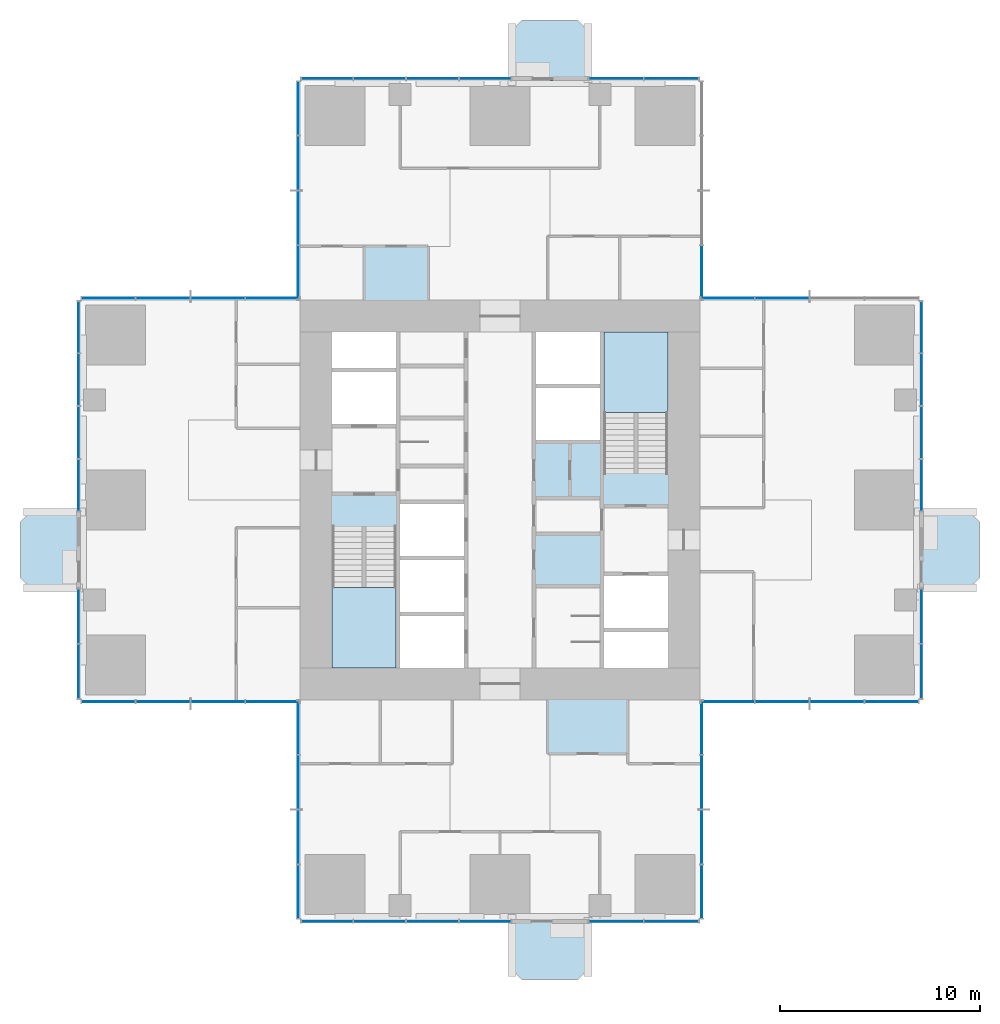
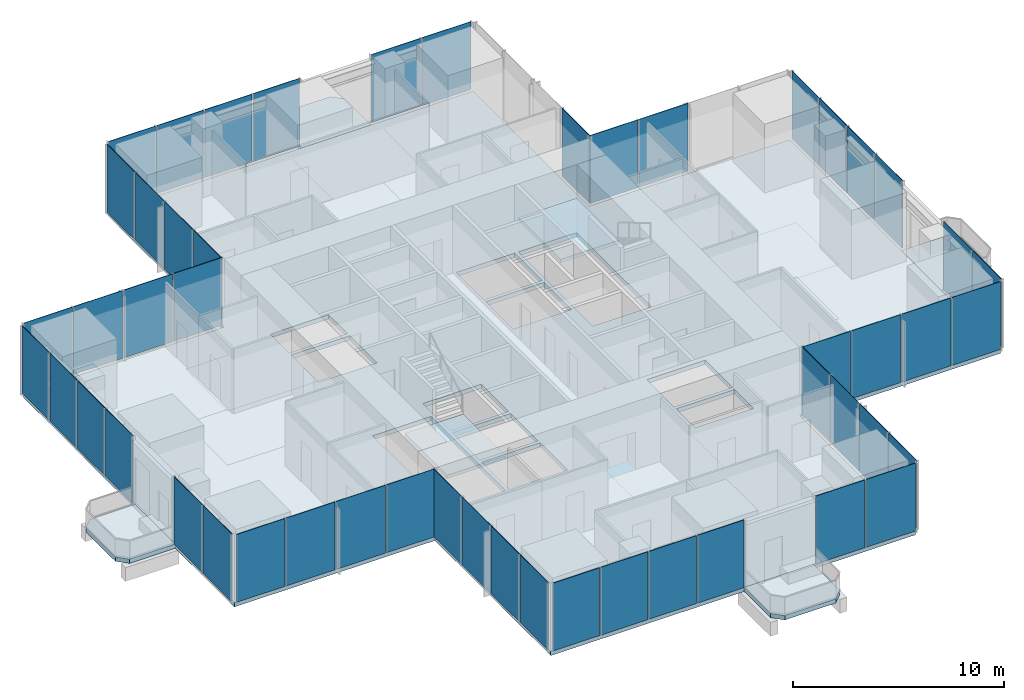
# One storey, part 7 of 13: 51 plates, 7 slabs, 18 elements without a shape of their own.
"""IFC4 building model written with IfcOpenShell, lengths in metres."""

from ifc_helpers import new_model, si_unit, direction, frame, origin, origin_2d, place, context, subcontext, project, spatial, polyline, rectangle, outline, extrude, material, layer, layer_set, type_object, element, aggregate, save


model = new_model("IFC4")

# Units and contexts
model_context = context("Model", 3, precision=1e-05, world=origin(), true_north=direction((0.0, 1.0)))
body_context = subcontext(model_context, "Body", "Model", "MODEL_VIEW")
ifc_project = project(units=[si_unit("LENGTHUNIT", "METRE"), si_unit("AREAUNIT", "SQUARE_METRE"), si_unit("VOLUMEUNIT", "CUBIC_METRE"), si_unit("PLANEANGLEUNIT", "RADIAN"), si_unit("MASSUNIT", "GRAM", prefix="KILO")], contexts=[model_context])

# Site, building, storey
site_placement = place(None, origin())
site = spatial("IfcSite", under=ifc_project, at=site_placement, CompositionType="ELEMENT")
building_placement = place(site_placement, origin())
building = spatial("IfcBuilding", under=site, at=building_placement, Name="Svetlomir Tower", CompositionType="ELEMENT")
storey_placement = place(building_placement, frame((0.0, 0.0, 128.5)))
storey = spatial("IfcBuildingStorey", under=building, at=storey_placement, Name="L30", CompositionType="ELEMENT", Elevation=128.5)

# Slabs
ifc_material_1 = material(Name="Concrete C60/75", Category="concrete")
ifc_layer_1 = layer(ifc_material_1, 0.25)
ifc_layer_set_1 = layer_set([ifc_layer_1], Name="Concrete C60/75")
slab_type_1 = type_object("IfcSlabType", Name="BALCONY SLAB 250", PredefinedType="FLOOR", material=ifc_layer_set_1)
slab_1_placement = place(storey_placement, frame((0.0, 0.0, -0.25)))
element("IfcSlab", 1, at=slab_1_placement, inside=storey, type_object=slab_type_1, Name="L30 S planted balcony", PredefinedType="FLOOR", context=body_context, shape_type="SweptSolid", body=[
    extrude(outline(polyline([(21.60009765625, -2.5), (22.10009765625, -3.0), (24.89990234375, -3.0), (25.39990234375, -2.5), (25.39990234375, 0.0), (21.60009765625, 0.0), (21.60009765625, -2.5)])), origin(), (0.0, 0.0, 1.0), 0.25),
])
slab_2_placement = place(storey_placement, frame((0.0, 0.0, -0.25)))
element("IfcSlab", 2, at=slab_2_placement, inside=storey, type_object=slab_type_1, Name="L30 E planted balcony", PredefinedType="FLOOR", context=body_context, shape_type="SweptSolid", body=[
    extrude(outline(polyline([(42.0, 16.60009765625), (44.5, 16.60009765625), (45.0, 17.10009765625), (45.0, 19.89990234375), (44.5, 20.39990234375), (42.0, 20.39990234375), (42.0, 16.60009765625)])), origin(), (0.0, 0.0, 1.0), 0.25),
])
slab_3_placement = place(storey_placement, frame((0.0, 0.0, -0.25)))
element("IfcSlab", 3, at=slab_3_placement, inside=storey, type_object=slab_type_1, Name="L30 N planted balcony", PredefinedType="FLOOR", context=body_context, shape_type="SweptSolid", body=[
    extrude(outline(polyline([(21.60009765625, 42.0), (25.39990234375, 42.0), (25.39990234375, 44.5), (24.89990234375, 45.0), (22.10009765625, 45.0), (21.60009765625, 44.5), (21.60009765625, 42.0)])), origin(), (0.0, 0.0, 1.0), 0.25),
])
slab_4_placement = place(storey_placement, frame((0.0, 0.0, -0.25)))
element("IfcSlab", 4, at=slab_4_placement, inside=storey, type_object=slab_type_1, Name="L30 W planted balcony", PredefinedType="FLOOR", context=body_context, shape_type="SweptSolid", body=[
    extrude(outline(polyline([(-2.5, 16.60009765625), (0.0, 16.60009765625), (0.0, 20.39990234375), (-2.5, 20.39990234375), (-3.0, 19.89990234375), (-3.0, 17.10009765625), (-2.5, 16.60009765625)])), origin(), (0.0, 0.0, 1.0), 0.25),
])

# Curtain wall, plates
ifc_material_2 = material(Name="Bronze anodised aluminium curtain wall", Category="aluminium")
curtain_wall_type = type_object("IfcCurtainWallType", Name="CURTAIN WALL CW1 TOWER OFFICE", PredefinedType="NOTDEFINED", material=ifc_material_2)
curtain_wall_1_placement = place(storey_placement, origin())
curtain_wall_1 = element("IfcCurtainWall", 5, at=curtain_wall_1_placement, inside=storey, type_object=curtain_wall_type, Name="Curtain wall CW1 L30", PredefinedType="NOTDEFINED")
ifc_material_3 = material(Name="Tinted double glazed unit", Category="glass")
ifc_layer_2 = layer(ifc_material_3, 0.031982421875)
ifc_layer_set_2 = layer_set([ifc_layer_2], Name="Tinted double glazed unit")
plate_type = type_object("IfcPlateType", Name="CW1 GLAZED PANEL 32", PredefinedType="CURTAIN_PANEL", material=ifc_layer_set_2)
plate_1_placement = place(storey_placement, frame((12.34130859375, -0.10009765625, 0.06494140625), z_axis=(0.0, 0.0, 1.0), x_axis=(1.0, 0.0, 0.0)))
plate_1 = element("IfcPlate", 6, at=plate_1_placement, type_object=plate_type, Name="CW1 panel 1.1", PredefinedType="CURTAIN_PANEL", context=body_context, shape_type="SweptSolid", body=[
    extrude(rectangle(XDim=2.552490234375, YDim=0.031982421875, at=origin_2d()), origin(), (0.0, 0.0, 1.0), 3.93505859375),
])
plate_2_placement = place(storey_placement, frame((14.97509765625, -0.10009765625, 0.06494140625), z_axis=(0.0, 0.0, 1.0), x_axis=(1.0, 0.0, 0.0)))
plate_2 = element("IfcPlate", 7, at=plate_2_placement, type_object=plate_type, Name="CW1 panel 2.1", PredefinedType="CURTAIN_PANEL", context=body_context, shape_type="SweptSolid", body=[
    extrude(rectangle(XDim=2.5849609375, YDim=0.031982421875, at=origin_2d()), origin(), (0.0, 0.0, 1.0), 3.93505859375),
])
plate_3_placement = place(storey_placement, frame((17.625, -0.10009765625, 0.06494140625), z_axis=(0.0, 0.0, 1.0), x_axis=(1.0, 0.0, 0.0)))
plate_3 = element("IfcPlate", 8, at=plate_3_placement, type_object=plate_type, Name="CW1 panel 3.1", PredefinedType="CURTAIN_PANEL", context=body_context, shape_type="SweptSolid", body=[
    extrude(rectangle(XDim=2.5849609375, YDim=0.031982421875, at=origin_2d()), origin(), (0.0, 0.0, 1.0), 3.93505859375),
])
plate_4_placement = place(storey_placement, frame((20.2587890625, -0.10009765625, 0.06494140625), z_axis=(0.0, 0.0, 1.0), x_axis=(1.0, 0.0, 0.0)))
plate_4 = element("IfcPlate", 9, at=plate_4_placement, type_object=plate_type, Name="CW1 panel 4.1", PredefinedType="CURTAIN_PANEL", context=body_context, shape_type="SweptSolid", body=[
    extrude(rectangle(XDim=2.552490234375, YDim=0.031982421875, at=origin_2d()), origin(), (0.0, 0.0, 1.0), 3.93505859375),
])
aggregate(curtain_wall_1, [plate_1, plate_2, plate_3, plate_4])

curtain_wall_2_placement = place(storey_placement, origin())
curtain_wall_2 = element("IfcCurtainWall", 10, at=curtain_wall_2_placement, inside=storey, type_object=curtain_wall_type, Name="Curtain wall CW1 L30", PredefinedType="NOTDEFINED")
plate_5_placement = place(storey_placement, frame((26.816162109375, -0.10009765625, 0.06494140625), z_axis=(0.0, 0.0, 1.0), x_axis=(1.0, 0.0, 0.0)))
plate_5 = element("IfcPlate", 11, at=plate_5_placement, type_object=plate_type, Name="CW1 panel 1.1", PredefinedType="CURTAIN_PANEL", context=body_context, shape_type="SweptSolid", body=[
    extrude(rectangle(XDim=2.702392578125, YDim=0.031982421875, at=origin_2d()), origin(), (0.0, 0.0, 1.0), 3.93505859375),
])
plate_6_placement = place(storey_placement, frame((29.583740234375, -0.10009765625, 0.06494140625), z_axis=(0.0, 0.0, 1.0), x_axis=(1.0, 0.0, 0.0)))
plate_6 = element("IfcPlate", 12, at=plate_6_placement, type_object=plate_type, Name="CW1 panel 2.1", PredefinedType="CURTAIN_PANEL", context=body_context, shape_type="SweptSolid", body=[
    extrude(rectangle(XDim=2.702392578125, YDim=0.031982421875, at=origin_2d()), origin(), (0.0, 0.0, 1.0), 3.93505859375),
])
aggregate(curtain_wall_2, [plate_5, plate_6])

curtain_wall_3_placement = place(storey_placement, origin())
curtain_wall_3 = element("IfcCurtainWall", 13, at=curtain_wall_3_placement, inside=storey, type_object=curtain_wall_type, Name="Curtain wall CW1 L30", PredefinedType="NOTDEFINED")
plate_7_placement = place(storey_placement, frame((31.10009765625, 1.391357421875, 0.06494140625), z_axis=(0.0, 0.0, 1.0), x_axis=(0.0, 1.0, 0.0)))
plate_7 = element("IfcPlate", 14, at=plate_7_placement, type_object=plate_type, Name="CW1 panel 1.1", PredefinedType="CURTAIN_PANEL", context=body_context, shape_type="SweptSolid", body=[
    extrude(rectangle(XDim=2.652587890625, YDim=0.031982421875, at=origin_2d()), origin(), (0.0, 0.0, 1.0), 3.93505859375),
])
plate_8_placement = place(storey_placement, frame((31.10009765625, 4.125, 0.06494140625), z_axis=(0.0, 0.0, 1.0), x_axis=(0.0, 1.0, 0.0)))
plate_8 = element("IfcPlate", 15, at=plate_8_placement, type_object=plate_type, Name="CW1 panel 2.1", PredefinedType="CURTAIN_PANEL", context=body_context, shape_type="SweptSolid", body=[
    extrude(rectangle(XDim=2.68505859375, YDim=0.031982421875, at=origin_2d()), origin(), (0.0, 0.0, 1.0), 3.93505859375),
])
plate_9_placement = place(storey_placement, frame((31.10009765625, 6.875, 0.06494140625), z_axis=(0.0, 0.0, 1.0), x_axis=(0.0, 1.0, 0.0)))
plate_9 = element("IfcPlate", 16, at=plate_9_placement, type_object=plate_type, Name="CW1 panel 3.1", PredefinedType="CURTAIN_PANEL", context=body_context, shape_type="SweptSolid", body=[
    extrude(rectangle(XDim=2.68505859375, YDim=0.031982421875, at=origin_2d()), origin(), (0.0, 0.0, 1.0), 3.93505859375),
])
plate_10_placement = place(storey_placement, frame((31.10009765625, 9.608642578125, 0.06494140625), z_axis=(0.0, 0.0, 1.0), x_axis=(0.0, 1.0, 0.0)))
plate_10 = element("IfcPlate", 17, at=plate_10_placement, type_object=plate_type, Name="CW1 panel 4.1", PredefinedType="CURTAIN_PANEL", context=body_context, shape_type="SweptSolid", body=[
    extrude(rectangle(XDim=2.652587890625, YDim=0.031982421875, at=origin_2d()), origin(), (0.0, 0.0, 1.0), 3.93505859375),
])
aggregate(curtain_wall_3, [plate_7, plate_8, plate_9, plate_10])

curtain_wall_4_placement = place(storey_placement, origin())
curtain_wall_4 = element("IfcCurtainWall", 18, at=curtain_wall_4_placement, inside=storey, type_object=curtain_wall_type, Name="Curtain wall CW1 L30", PredefinedType="NOTDEFINED")
plate_11_placement = place(storey_placement, frame((32.391357421875, 10.89990234375, 0.06494140625), z_axis=(0.0, 0.0, 1.0), x_axis=(1.0, 0.0, 0.0)))
plate_11 = element("IfcPlate", 19, at=plate_11_placement, type_object=plate_type, Name="CW1 panel 1.1", PredefinedType="CURTAIN_PANEL", context=body_context, shape_type="SweptSolid", body=[
    extrude(rectangle(XDim=2.652587890625, YDim=0.031982421875, at=origin_2d()), origin(), (0.0, 0.0, 1.0), 3.93505859375),
])
plate_12_placement = place(storey_placement, frame((35.125, 10.89990234375, 0.06494140625), z_axis=(0.0, 0.0, 1.0), x_axis=(1.0, 0.0, 0.0)))
plate_12 = element("IfcPlate", 20, at=plate_12_placement, type_object=plate_type, Name="CW1 panel 2.1", PredefinedType="CURTAIN_PANEL", context=body_context, shape_type="SweptSolid", body=[
    extrude(rectangle(XDim=2.68505859375, YDim=0.031982421875, at=origin_2d()), origin(), (0.0, 0.0, 1.0), 3.93505859375),
])
plate_13_placement = place(storey_placement, frame((37.875, 10.89990234375, 0.06494140625), z_axis=(0.0, 0.0, 1.0), x_axis=(1.0, 0.0, 0.0)))
plate_13 = element("IfcPlate", 21, at=plate_13_placement, type_object=plate_type, Name="CW1 panel 3.1", PredefinedType="CURTAIN_PANEL", context=body_context, shape_type="SweptSolid", body=[
    extrude(rectangle(XDim=2.68505859375, YDim=0.031982421875, at=origin_2d()), origin(), (0.0, 0.0, 1.0), 3.93505859375),
])
plate_14_placement = place(storey_placement, frame((40.608642578125, 10.89990234375, 0.06494140625), z_axis=(0.0, 0.0, 1.0), x_axis=(1.0, 0.0, 0.0)))
plate_14 = element("IfcPlate", 22, at=plate_14_placement, type_object=plate_type, Name="CW1 panel 4.1", PredefinedType="CURTAIN_PANEL", context=body_context, shape_type="SweptSolid", body=[
    extrude(rectangle(XDim=2.652587890625, YDim=0.031982421875, at=origin_2d()), origin(), (0.0, 0.0, 1.0), 3.93505859375),
])
aggregate(curtain_wall_4, [plate_11, plate_12, plate_13, plate_14])

curtain_wall_5_placement = place(storey_placement, origin())
curtain_wall_5 = element("IfcCurtainWall", 23, at=curtain_wall_5_placement, inside=storey, type_object=curtain_wall_type, Name="Curtain wall CW1 L30", PredefinedType="NOTDEFINED")
plate_15_placement = place(storey_placement, frame((42.10009765625, 12.416259765625, 0.06494140625), z_axis=(0.0, 0.0, 1.0), x_axis=(0.0, 1.0, 0.0)))
plate_15 = element("IfcPlate", 24, at=plate_15_placement, type_object=plate_type, Name="CW1 panel 1.1", PredefinedType="CURTAIN_PANEL", context=body_context, shape_type="SweptSolid", body=[
    extrude(rectangle(XDim=2.702392578125, YDim=0.031982421875, at=origin_2d()), origin(), (0.0, 0.0, 1.0), 3.93505859375),
])
plate_16_placement = place(storey_placement, frame((42.10009765625, 15.183837890625, 0.06494140625), z_axis=(0.0, 0.0, 1.0), x_axis=(0.0, 1.0, 0.0)))
plate_16 = element("IfcPlate", 25, at=plate_16_placement, type_object=plate_type, Name="CW1 panel 2.1", PredefinedType="CURTAIN_PANEL", context=body_context, shape_type="SweptSolid", body=[
    extrude(rectangle(XDim=2.702392578125, YDim=0.031982421875, at=origin_2d()), origin(), (0.0, 0.0, 1.0), 3.93505859375),
])
aggregate(curtain_wall_5, [plate_15, plate_16])

curtain_wall_6_placement = place(storey_placement, origin())
curtain_wall_6 = element("IfcCurtainWall", 26, at=curtain_wall_6_placement, inside=storey, type_object=curtain_wall_type, Name="Curtain wall CW1 L30", PredefinedType="NOTDEFINED")
plate_17_placement = place(storey_placement, frame((42.10009765625, 21.7412109375, 0.06494140625), z_axis=(0.0, 0.0, 1.0), x_axis=(0.0, 1.0, 0.0)))
plate_17 = element("IfcPlate", 27, at=plate_17_placement, type_object=plate_type, Name="CW1 panel 1.1", PredefinedType="CURTAIN_PANEL", context=body_context, shape_type="SweptSolid", body=[
    extrude(rectangle(XDim=2.552490234375, YDim=0.031982421875, at=origin_2d()), origin(), (0.0, 0.0, 1.0), 3.93505859375),
])
plate_18_placement = place(storey_placement, frame((42.10009765625, 24.375, 0.06494140625), z_axis=(0.0, 0.0, 1.0), x_axis=(0.0, 1.0, 0.0)))
plate_18 = element("IfcPlate", 28, at=plate_18_placement, type_object=plate_type, Name="CW1 panel 2.1", PredefinedType="CURTAIN_PANEL", context=body_context, shape_type="SweptSolid", body=[
    extrude(rectangle(XDim=2.5849609375, YDim=0.031982421875, at=origin_2d()), origin(), (0.0, 0.0, 1.0), 3.93505859375),
])
plate_19_placement = place(storey_placement, frame((42.10009765625, 27.02490234375, 0.06494140625), z_axis=(0.0, 0.0, 1.0), x_axis=(0.0, 1.0, 0.0)))
plate_19 = element("IfcPlate", 29, at=plate_19_placement, type_object=plate_type, Name="CW1 panel 3.1", PredefinedType="CURTAIN_PANEL", context=body_context, shape_type="SweptSolid", body=[
    extrude(rectangle(XDim=2.5849609375, YDim=0.031982421875, at=origin_2d()), origin(), (0.0, 0.0, 1.0), 3.93505859375),
])
plate_20_placement = place(storey_placement, frame((42.10009765625, 29.65869140625, 0.06494140625), z_axis=(0.0, 0.0, 1.0), x_axis=(0.0, 1.0, 0.0)))
plate_20 = element("IfcPlate", 30, at=plate_20_placement, type_object=plate_type, Name="CW1 panel 4.1", PredefinedType="CURTAIN_PANEL", context=body_context, shape_type="SweptSolid", body=[
    extrude(rectangle(XDim=2.552490234375, YDim=0.031982421875, at=origin_2d()), origin(), (0.0, 0.0, 1.0), 3.93505859375),
])
aggregate(curtain_wall_6, [plate_17, plate_18, plate_19, plate_20])

curtain_wall_7_placement = place(storey_placement, origin())
curtain_wall_7 = element("IfcCurtainWall", 31, at=curtain_wall_7_placement, inside=storey, type_object=curtain_wall_type, Name="Curtain wall CW1 L30", PredefinedType="NOTDEFINED")
plate_21_placement = place(storey_placement, frame((35.125, 31.10009765625, 0.06494140625), z_axis=(0.0, 0.0, 1.0), x_axis=(-1.0, 0.0, 0.0)))
plate_21 = element("IfcPlate", 32, at=plate_21_placement, type_object=plate_type, Name="CW1 panel 3.1", PredefinedType="CURTAIN_PANEL", context=body_context, shape_type="SweptSolid", body=[
    extrude(rectangle(XDim=2.68505859375, YDim=0.031982421875, at=origin_2d()), origin(), (0.0, 0.0, 1.0), 3.93505859375),
])
plate_22_placement = place(storey_placement, frame((32.391357421875, 31.10009765625, 0.06494140625), z_axis=(0.0, 0.0, 1.0), x_axis=(-1.0, 0.0, 0.0)))
plate_22 = element("IfcPlate", 33, at=plate_22_placement, type_object=plate_type, Name="CW1 panel 4.1", PredefinedType="CURTAIN_PANEL", context=body_context, shape_type="SweptSolid", body=[
    extrude(rectangle(XDim=2.652587890625, YDim=0.031982421875, at=origin_2d()), origin(), (0.0, 0.0, 1.0), 3.93505859375),
])
aggregate(curtain_wall_7, [plate_21, plate_22])

# Curtain wall, plate
curtain_wall_8_placement = place(storey_placement, origin())
curtain_wall_8 = element("IfcCurtainWall", 34, at=curtain_wall_8_placement, inside=storey, type_object=curtain_wall_type, Name="Curtain wall CW1 L30", PredefinedType="NOTDEFINED")
plate_23_placement = place(storey_placement, frame((31.10009765625, 32.391357421875, 0.06494140625), z_axis=(0.0, 0.0, 1.0), x_axis=(0.0, 1.0, 0.0)))
plate_23 = element("IfcPlate", 35, at=plate_23_placement, type_object=plate_type, Name="CW1 panel 1.1", PredefinedType="CURTAIN_PANEL", context=body_context, shape_type="SweptSolid", body=[
    extrude(rectangle(XDim=2.652587890625, YDim=0.031982421875, at=origin_2d()), origin(), (0.0, 0.0, 1.0), 3.93505859375),
])
aggregate(curtain_wall_8, [plate_23])

# Curtain wall, plates
curtain_wall_9_placement = place(storey_placement, origin())
curtain_wall_9 = element("IfcCurtainWall", 36, at=curtain_wall_9_placement, inside=storey, type_object=curtain_wall_type, Name="Curtain wall CW1 L30", PredefinedType="NOTDEFINED")
plate_24_placement = place(storey_placement, frame((29.583740234375, 42.10009765625, 0.06494140625), z_axis=(0.0, 0.0, 1.0), x_axis=(-1.0, 0.0, 0.0)))
plate_24 = element("IfcPlate", 37, at=plate_24_placement, type_object=plate_type, Name="CW1 panel 1.1", PredefinedType="CURTAIN_PANEL", context=body_context, shape_type="SweptSolid", body=[
    extrude(rectangle(XDim=2.702392578125, YDim=0.031982421875, at=origin_2d()), origin(), (0.0, 0.0, 1.0), 3.93505859375),
])
plate_25_placement = place(storey_placement, frame((26.816162109375, 42.10009765625, 0.06494140625), z_axis=(0.0, 0.0, 1.0), x_axis=(-1.0, 0.0, 0.0)))
plate_25 = element("IfcPlate", 38, at=plate_25_placement, type_object=plate_type, Name="CW1 panel 2.1", PredefinedType="CURTAIN_PANEL", context=body_context, shape_type="SweptSolid", body=[
    extrude(rectangle(XDim=2.702392578125, YDim=0.031982421875, at=origin_2d()), origin(), (0.0, 0.0, 1.0), 3.93505859375),
])
aggregate(curtain_wall_9, [plate_24, plate_25])

curtain_wall_10_placement = place(storey_placement, origin())
curtain_wall_10 = element("IfcCurtainWall", 39, at=curtain_wall_10_placement, inside=storey, type_object=curtain_wall_type, Name="Curtain wall CW1 L30", PredefinedType="NOTDEFINED")
plate_26_placement = place(storey_placement, frame((20.2587890625, 42.10009765625, 0.06494140625), z_axis=(0.0, 0.0, 1.0), x_axis=(-1.0, 0.0, 0.0)))
plate_26 = element("IfcPlate", 40, at=plate_26_placement, type_object=plate_type, Name="CW1 panel 1.1", PredefinedType="CURTAIN_PANEL", context=body_context, shape_type="SweptSolid", body=[
    extrude(rectangle(XDim=2.552490234375, YDim=0.031982421875, at=origin_2d()), origin(), (0.0, 0.0, 1.0), 3.93505859375),
])
plate_27_placement = place(storey_placement, frame((17.625, 42.10009765625, 0.06494140625), z_axis=(0.0, 0.0, 1.0), x_axis=(-1.0, 0.0, 0.0)))
plate_27 = element("IfcPlate", 41, at=plate_27_placement, type_object=plate_type, Name="CW1 panel 2.1", PredefinedType="CURTAIN_PANEL", context=body_context, shape_type="SweptSolid", body=[
    extrude(rectangle(XDim=2.5849609375, YDim=0.031982421875, at=origin_2d()), origin(), (0.0, 0.0, 1.0), 3.93505859375),
])
plate_28_placement = place(storey_placement, frame((14.97509765625, 42.10009765625, 0.06494140625), z_axis=(0.0, 0.0, 1.0), x_axis=(-1.0, 0.0, 0.0)))
plate_28 = element("IfcPlate", 42, at=plate_28_placement, type_object=plate_type, Name="CW1 panel 3.1", PredefinedType="CURTAIN_PANEL", context=body_context, shape_type="SweptSolid", body=[
    extrude(rectangle(XDim=2.5849609375, YDim=0.031982421875, at=origin_2d()), origin(), (0.0, 0.0, 1.0), 3.93505859375),
])
plate_29_placement = place(storey_placement, frame((12.34130859375, 42.10009765625, 0.06494140625), z_axis=(0.0, 0.0, 1.0), x_axis=(-1.0, 0.0, 0.0)))
plate_29 = element("IfcPlate", 43, at=plate_29_placement, type_object=plate_type, Name="CW1 panel 4.1", PredefinedType="CURTAIN_PANEL", context=body_context, shape_type="SweptSolid", body=[
    extrude(rectangle(XDim=2.552490234375, YDim=0.031982421875, at=origin_2d()), origin(), (0.0, 0.0, 1.0), 3.93505859375),
])
aggregate(curtain_wall_10, [plate_26, plate_27, plate_28, plate_29])

curtain_wall_11_placement = place(storey_placement, origin())
curtain_wall_11 = element("IfcCurtainWall", 44, at=curtain_wall_11_placement, inside=storey, type_object=curtain_wall_type, Name="Curtain wall CW1 L30", PredefinedType="NOTDEFINED")
plate_30_placement = place(storey_placement, frame((10.89990234375, 40.608642578125, 0.06494140625), z_axis=(0.0, 0.0, 1.0), x_axis=(0.0, -1.0, 0.0)))
plate_30 = element("IfcPlate", 45, at=plate_30_placement, type_object=plate_type, Name="CW1 panel 1.1", PredefinedType="CURTAIN_PANEL", context=body_context, shape_type="SweptSolid", body=[
    extrude(rectangle(XDim=2.652587890625, YDim=0.031982421875, at=origin_2d()), origin(), (0.0, 0.0, 1.0), 3.93505859375),
])
plate_31_placement = place(storey_placement, frame((10.89990234375, 37.875, 0.06494140625), z_axis=(0.0, 0.0, 1.0), x_axis=(0.0, -1.0, 0.0)))
plate_31 = element("IfcPlate", 46, at=plate_31_placement, type_object=plate_type, Name="CW1 panel 2.1", PredefinedType="CURTAIN_PANEL", context=body_context, shape_type="SweptSolid", body=[
    extrude(rectangle(XDim=2.68505859375, YDim=0.031982421875, at=origin_2d()), origin(), (0.0, 0.0, 1.0), 3.93505859375),
])
plate_32_placement = place(storey_placement, frame((10.89990234375, 35.125, 0.06494140625), z_axis=(0.0, 0.0, 1.0), x_axis=(0.0, -1.0, 0.0)))
plate_32 = element("IfcPlate", 47, at=plate_32_placement, type_object=plate_type, Name="CW1 panel 3.1", PredefinedType="CURTAIN_PANEL", context=body_context, shape_type="SweptSolid", body=[
    extrude(rectangle(XDim=2.68505859375, YDim=0.031982421875, at=origin_2d()), origin(), (0.0, 0.0, 1.0), 3.93505859375),
])
plate_33_placement = place(storey_placement, frame((10.89990234375, 32.391357421875, 0.06494140625), z_axis=(0.0, 0.0, 1.0), x_axis=(0.0, -1.0, 0.0)))
plate_33 = element("IfcPlate", 48, at=plate_33_placement, type_object=plate_type, Name="CW1 panel 4.1", PredefinedType="CURTAIN_PANEL", context=body_context, shape_type="SweptSolid", body=[
    extrude(rectangle(XDim=2.652587890625, YDim=0.031982421875, at=origin_2d()), origin(), (0.0, 0.0, 1.0), 3.93505859375),
])
aggregate(curtain_wall_11, [plate_30, plate_31, plate_32, plate_33])

curtain_wall_12_placement = place(storey_placement, origin())
curtain_wall_12 = element("IfcCurtainWall", 49, at=curtain_wall_12_placement, inside=storey, type_object=curtain_wall_type, Name="Curtain wall CW1 L30", PredefinedType="NOTDEFINED")
plate_34_placement = place(storey_placement, frame((9.608642578125, 31.10009765625, 0.06494140625), z_axis=(0.0, 0.0, 1.0), x_axis=(-1.0, 0.0, 0.0)))
plate_34 = element("IfcPlate", 50, at=plate_34_placement, type_object=plate_type, Name="CW1 panel 1.1", PredefinedType="CURTAIN_PANEL", context=body_context, shape_type="SweptSolid", body=[
    extrude(rectangle(XDim=2.652587890625, YDim=0.031982421875, at=origin_2d()), origin(), (0.0, 0.0, 1.0), 3.93505859375),
])
plate_35_placement = place(storey_placement, frame((6.875, 31.10009765625, 0.06494140625), z_axis=(0.0, 0.0, 1.0), x_axis=(-1.0, 0.0, 0.0)))
plate_35 = element("IfcPlate", 51, at=plate_35_placement, type_object=plate_type, Name="CW1 panel 2.1", PredefinedType="CURTAIN_PANEL", context=body_context, shape_type="SweptSolid", body=[
    extrude(rectangle(XDim=2.68505859375, YDim=0.031982421875, at=origin_2d()), origin(), (0.0, 0.0, 1.0), 3.93505859375),
])
plate_36_placement = place(storey_placement, frame((4.125, 31.10009765625, 0.06494140625), z_axis=(0.0, 0.0, 1.0), x_axis=(-1.0, 0.0, 0.0)))
plate_36 = element("IfcPlate", 52, at=plate_36_placement, type_object=plate_type, Name="CW1 panel 3.1", PredefinedType="CURTAIN_PANEL", context=body_context, shape_type="SweptSolid", body=[
    extrude(rectangle(XDim=2.68505859375, YDim=0.031982421875, at=origin_2d()), origin(), (0.0, 0.0, 1.0), 3.93505859375),
])
plate_37_placement = place(storey_placement, frame((1.391357421875, 31.10009765625, 0.06494140625), z_axis=(0.0, 0.0, 1.0), x_axis=(-1.0, 0.0, 0.0)))
plate_37 = element("IfcPlate", 53, at=plate_37_placement, type_object=plate_type, Name="CW1 panel 4.1", PredefinedType="CURTAIN_PANEL", context=body_context, shape_type="SweptSolid", body=[
    extrude(rectangle(XDim=2.652587890625, YDim=0.031982421875, at=origin_2d()), origin(), (0.0, 0.0, 1.0), 3.93505859375),
])
aggregate(curtain_wall_12, [plate_34, plate_35, plate_36, plate_37])

curtain_wall_13_placement = place(storey_placement, origin())
curtain_wall_13 = element("IfcCurtainWall", 54, at=curtain_wall_13_placement, inside=storey, type_object=curtain_wall_type, Name="Curtain wall CW1 L30", PredefinedType="NOTDEFINED")
plate_38_placement = place(storey_placement, frame((-0.10009765625, 29.65869140625, 0.06494140625), z_axis=(0.0, 0.0, 1.0), x_axis=(0.0, -1.0, 0.0)))
plate_38 = element("IfcPlate", 55, at=plate_38_placement, type_object=plate_type, Name="CW1 panel 1.1", PredefinedType="CURTAIN_PANEL", context=body_context, shape_type="SweptSolid", body=[
    extrude(rectangle(XDim=2.552490234375, YDim=0.031982421875, at=origin_2d()), origin(), (0.0, 0.0, 1.0), 3.93505859375),
])
plate_39_placement = place(storey_placement, frame((-0.10009765625, 27.02490234375, 0.06494140625), z_axis=(0.0, 0.0, 1.0), x_axis=(0.0, -1.0, 0.0)))
plate_39 = element("IfcPlate", 56, at=plate_39_placement, type_object=plate_type, Name="CW1 panel 2.1", PredefinedType="CURTAIN_PANEL", context=body_context, shape_type="SweptSolid", body=[
    extrude(rectangle(XDim=2.5849609375, YDim=0.031982421875, at=origin_2d()), origin(), (0.0, 0.0, 1.0), 3.93505859375),
])
plate_40_placement = place(storey_placement, frame((-0.10009765625, 24.375, 0.06494140625), z_axis=(0.0, 0.0, 1.0), x_axis=(0.0, -1.0, 0.0)))
plate_40 = element("IfcPlate", 57, at=plate_40_placement, type_object=plate_type, Name="CW1 panel 3.1", PredefinedType="CURTAIN_PANEL", context=body_context, shape_type="SweptSolid", body=[
    extrude(rectangle(XDim=2.5849609375, YDim=0.031982421875, at=origin_2d()), origin(), (0.0, 0.0, 1.0), 3.93505859375),
])
plate_41_placement = place(storey_placement, frame((-0.10009765625, 21.7412109375, 0.06494140625), z_axis=(0.0, 0.0, 1.0), x_axis=(0.0, -1.0, 0.0)))
plate_41 = element("IfcPlate", 58, at=plate_41_placement, type_object=plate_type, Name="CW1 panel 4.1", PredefinedType="CURTAIN_PANEL", context=body_context, shape_type="SweptSolid", body=[
    extrude(rectangle(XDim=2.552490234375, YDim=0.031982421875, at=origin_2d()), origin(), (0.0, 0.0, 1.0), 3.93505859375),
])
aggregate(curtain_wall_13, [plate_38, plate_39, plate_40, plate_41])

curtain_wall_14_placement = place(storey_placement, origin())
curtain_wall_14 = element("IfcCurtainWall", 59, at=curtain_wall_14_placement, inside=storey, type_object=curtain_wall_type, Name="Curtain wall CW1 L30", PredefinedType="NOTDEFINED")
plate_42_placement = place(storey_placement, frame((-0.10009765625, 15.183837890625, 0.06494140625), z_axis=(0.0, 0.0, 1.0), x_axis=(0.0, -1.0, 0.0)))
plate_42 = element("IfcPlate", 60, at=plate_42_placement, type_object=plate_type, Name="CW1 panel 1.1", PredefinedType="CURTAIN_PANEL", context=body_context, shape_type="SweptSolid", body=[
    extrude(rectangle(XDim=2.702392578125, YDim=0.031982421875, at=origin_2d()), origin(), (0.0, 0.0, 1.0), 3.93505859375),
])
plate_43_placement = place(storey_placement, frame((-0.10009765625, 12.416259765625, 0.06494140625), z_axis=(0.0, 0.0, 1.0), x_axis=(0.0, -1.0, 0.0)))
plate_43 = element("IfcPlate", 61, at=plate_43_placement, type_object=plate_type, Name="CW1 panel 2.1", PredefinedType="CURTAIN_PANEL", context=body_context, shape_type="SweptSolid", body=[
    extrude(rectangle(XDim=2.702392578125, YDim=0.031982421875, at=origin_2d()), origin(), (0.0, 0.0, 1.0), 3.93505859375),
])
aggregate(curtain_wall_14, [plate_42, plate_43])

curtain_wall_15_placement = place(storey_placement, origin())
curtain_wall_15 = element("IfcCurtainWall", 62, at=curtain_wall_15_placement, inside=storey, type_object=curtain_wall_type, Name="Curtain wall CW1 L30", PredefinedType="NOTDEFINED")
plate_44_placement = place(storey_placement, frame((1.391357421875, 10.89990234375, 0.06494140625), z_axis=(0.0, 0.0, 1.0), x_axis=(1.0, 0.0, 0.0)))
plate_44 = element("IfcPlate", 63, at=plate_44_placement, type_object=plate_type, Name="CW1 panel 1.1", PredefinedType="CURTAIN_PANEL", context=body_context, shape_type="SweptSolid", body=[
    extrude(rectangle(XDim=2.652587890625, YDim=0.031982421875, at=origin_2d()), origin(), (0.0, 0.0, 1.0), 3.93505859375),
])
plate_45_placement = place(storey_placement, frame((4.125, 10.89990234375, 0.06494140625), z_axis=(0.0, 0.0, 1.0), x_axis=(1.0, 0.0, 0.0)))
plate_45 = element("IfcPlate", 64, at=plate_45_placement, type_object=plate_type, Name="CW1 panel 2.1", PredefinedType="CURTAIN_PANEL", context=body_context, shape_type="SweptSolid", body=[
    extrude(rectangle(XDim=2.68505859375, YDim=0.031982421875, at=origin_2d()), origin(), (0.0, 0.0, 1.0), 3.93505859375),
])
plate_46_placement = place(storey_placement, frame((6.875, 10.89990234375, 0.06494140625), z_axis=(0.0, 0.0, 1.0), x_axis=(1.0, 0.0, 0.0)))
plate_46 = element("IfcPlate", 65, at=plate_46_placement, type_object=plate_type, Name="CW1 panel 3.1", PredefinedType="CURTAIN_PANEL", context=body_context, shape_type="SweptSolid", body=[
    extrude(rectangle(XDim=2.68505859375, YDim=0.031982421875, at=origin_2d()), origin(), (0.0, 0.0, 1.0), 3.93505859375),
])
plate_47_placement = place(storey_placement, frame((9.608642578125, 10.89990234375, 0.06494140625), z_axis=(0.0, 0.0, 1.0), x_axis=(1.0, 0.0, 0.0)))
plate_47 = element("IfcPlate", 66, at=plate_47_placement, type_object=plate_type, Name="CW1 panel 4.1", PredefinedType="CURTAIN_PANEL", context=body_context, shape_type="SweptSolid", body=[
    extrude(rectangle(XDim=2.652587890625, YDim=0.031982421875, at=origin_2d()), origin(), (0.0, 0.0, 1.0), 3.93505859375),
])
aggregate(curtain_wall_15, [plate_44, plate_45, plate_46, plate_47])

curtain_wall_16_placement = place(storey_placement, origin())
curtain_wall_16 = element("IfcCurtainWall", 67, at=curtain_wall_16_placement, inside=storey, type_object=curtain_wall_type, Name="Curtain wall CW1 L30", PredefinedType="NOTDEFINED")
plate_48_placement = place(storey_placement, frame((10.89990234375, 9.608642578125, 0.06494140625), z_axis=(0.0, 0.0, 1.0), x_axis=(0.0, -1.0, 0.0)))
plate_48 = element("IfcPlate", 68, at=plate_48_placement, type_object=plate_type, Name="CW1 panel 1.1", PredefinedType="CURTAIN_PANEL", context=body_context, shape_type="SweptSolid", body=[
    extrude(rectangle(XDim=2.652587890625, YDim=0.031982421875, at=origin_2d()), origin(), (0.0, 0.0, 1.0), 3.93505859375),
])
plate_49_placement = place(storey_placement, frame((10.89990234375, 6.875, 0.06494140625), z_axis=(0.0, 0.0, 1.0), x_axis=(0.0, -1.0, 0.0)))
plate_49 = element("IfcPlate", 69, at=plate_49_placement, type_object=plate_type, Name="CW1 panel 2.1", PredefinedType="CURTAIN_PANEL", context=body_context, shape_type="SweptSolid", body=[
    extrude(rectangle(XDim=2.68505859375, YDim=0.031982421875, at=origin_2d()), origin(), (0.0, 0.0, 1.0), 3.93505859375),
])
plate_50_placement = place(storey_placement, frame((10.89990234375, 4.125, 0.06494140625), z_axis=(0.0, 0.0, 1.0), x_axis=(0.0, -1.0, 0.0)))
plate_50 = element("IfcPlate", 70, at=plate_50_placement, type_object=plate_type, Name="CW1 panel 3.1", PredefinedType="CURTAIN_PANEL", context=body_context, shape_type="SweptSolid", body=[
    extrude(rectangle(XDim=2.68505859375, YDim=0.031982421875, at=origin_2d()), origin(), (0.0, 0.0, 1.0), 3.93505859375),
])
plate_51_placement = place(storey_placement, frame((10.89990234375, 1.391357421875, 0.06494140625), z_axis=(0.0, 0.0, 1.0), x_axis=(0.0, -1.0, 0.0)))
plate_51 = element("IfcPlate", 71, at=plate_51_placement, type_object=plate_type, Name="CW1 panel 4.1", PredefinedType="CURTAIN_PANEL", context=body_context, shape_type="SweptSolid", body=[
    extrude(rectangle(XDim=2.652587890625, YDim=0.031982421875, at=origin_2d()), origin(), (0.0, 0.0, 1.0), 3.93505859375),
])
aggregate(curtain_wall_16, [plate_48, plate_49, plate_50, plate_51])

# Slab
ifc_material_4 = material(Name="Concrete C60/75", Category="concrete")
ifc_layer_3 = layer(ifc_material_4, 0.25)
ifc_layer_set_3 = layer_set([ifc_layer_3], Name="Concrete C60/75")
slab_type_2 = type_object("IfcSlabType", Name="FLOOR SLAB 250", PredefinedType="FLOOR", material=ifc_layer_set_3)
slab_5_placement = place(storey_placement, frame((0.0, 0.0, -0.25)))
element("IfcSlab", 72, at=slab_5_placement, inside=storey, type_object=slab_type_2, Name="L30 floor slab", PredefinedType="FLOOR", context=body_context, shape_type="SweptSolid", body=[
    extrude(outline(polyline([(11.0, 0.0), (31.0, 0.0), (31.0, 11.0), (42.0, 11.0), (42.0, 31.0), (31.0, 31.0), (31.0, 42.0), (11.0, 42.0), (11.0, 31.0), (0.0, 31.0), (0.0, 11.0), (11.0, 11.0), (11.0, 0.0)]), holes=[polyline([(12.60009765625, 24.800048828125), (15.800048828125, 24.800048828125), (15.800048828125, 27.39990234375), (12.60009765625, 27.39990234375), (12.60009765625, 24.800048828125)]), polyline([(26.199951171875, 14.60009765625), (29.39990234375, 14.60009765625), (29.39990234375, 17.199951171875), (26.199951171875, 17.199951171875), (26.199951171875, 14.60009765625)]), polyline([(16.0, 12.60009765625), (19.199951171875, 12.60009765625), (19.199951171875, 15.199951171875), (16.0, 15.199951171875), (16.0, 12.60009765625)]), polyline([(16.0, 15.39990234375), (19.199951171875, 15.39990234375), (19.199951171875, 18.0), (16.0, 18.0), (16.0, 15.39990234375)]), polyline([(16.0, 18.199951171875), (19.199951171875, 18.199951171875), (19.199951171875, 20.800048828125), (16.0, 20.800048828125), (16.0, 18.199951171875)]), polyline([(22.800048828125, 24.0), (26.0, 24.0), (26.0, 26.60009765625), (22.800048828125, 26.60009765625), (22.800048828125, 24.0)]), polyline([(22.800048828125, 26.800048828125), (26.0, 26.800048828125), (26.0, 29.39990234375), (22.800048828125, 29.39990234375), (22.800048828125, 26.800048828125)]), polyline([(12.60009765625, 27.60009765625), (15.800048828125, 27.60009765625), (15.800048828125, 29.39990234375), (12.60009765625, 29.39990234375), (12.60009765625, 27.60009765625)]), polyline([(26.199951171875, 12.60009765625), (29.39990234375, 12.60009765625), (29.39990234375, 14.39990234375), (26.199951171875, 14.39990234375), (26.199951171875, 12.60009765625)]), polyline([(12.60009765625, 12.60009765625), (15.800048828125, 12.60009765625), (15.800048828125, 19.679931640625), (12.60009765625, 19.679931640625), (12.60009765625, 12.60009765625)]), polyline([(26.199951171875, 22.320068359375), (29.39990234375, 22.320068359375), (29.39990234375, 29.39990234375), (26.199951171875, 29.39990234375), (26.199951171875, 22.320068359375)])]), origin(), (0.0, 0.0, 1.0), 0.25),
])

# Stair, slab
ifc_material_5 = material(Name="Concrete C60/75", Category="concrete")
stair_type = type_object("IfcStairType", Name="EXIT STAIR 3200 RISE 4000", PredefinedType="HALF_TURN_STAIR", material=ifc_material_5)
stair_1_placement = place(storey_placement, origin())
stair_1 = element("IfcStair", 73, at=stair_1_placement, inside=storey, type_object=stair_type, Name="Stair S1 L30 to L31", PredefinedType="HALF_TURN_STAIR")
ifc_material_6 = material(Name="Concrete C60/75", Category="concrete")
ifc_layer_4 = layer(ifc_material_6, 0.199951171875)
ifc_layer_set_4 = layer_set([ifc_layer_4], Name="Concrete C60/75")
slab_type_3 = type_object("IfcSlabType", Name="STAIR LANDING 200", PredefinedType="LANDING", material=ifc_layer_set_4)
slab_6_placement = place(storey_placement, frame((0.0, 0.0, 1.800048828125)))
slab_6 = element("IfcSlab", 74, at=slab_6_placement, type_object=slab_type_3, Name="S1 landing 1", PredefinedType="LANDING", context=body_context, shape_type="SweptSolid", body=[
    extrude(outline(polyline([(12.60009765625, 12.60009765625), (15.800048828125, 12.60009765625), (15.800048828125, 16.6201171875), (12.60009765625, 16.6201171875), (12.60009765625, 12.60009765625)])), origin(), (0.0, 0.0, 1.0), 0.199951171875),
])
aggregate(stair_1, [slab_6])

stair_2_placement = place(storey_placement, origin())
stair_2 = element("IfcStair", 75, at=stair_2_placement, inside=storey, type_object=stair_type, Name="Stair S2 L30 to L31", PredefinedType="HALF_TURN_STAIR")
slab_7_placement = place(storey_placement, frame((0.0, 0.0, 1.800048828125)))
slab_7 = element("IfcSlab", 76, at=slab_7_placement, type_object=slab_type_3, Name="S2 landing 1", PredefinedType="LANDING", context=body_context, shape_type="SweptSolid", body=[
    extrude(outline(polyline([(26.199951171875, 25.3798828125), (29.39990234375, 25.3798828125), (29.39990234375, 29.39990234375), (26.199951171875, 29.39990234375), (26.199951171875, 25.3798828125)])), origin(), (0.0, 0.0, 1.0), 0.199951171875),
])
aggregate(stair_2, [slab_7])

save(model, "model.ifc")
